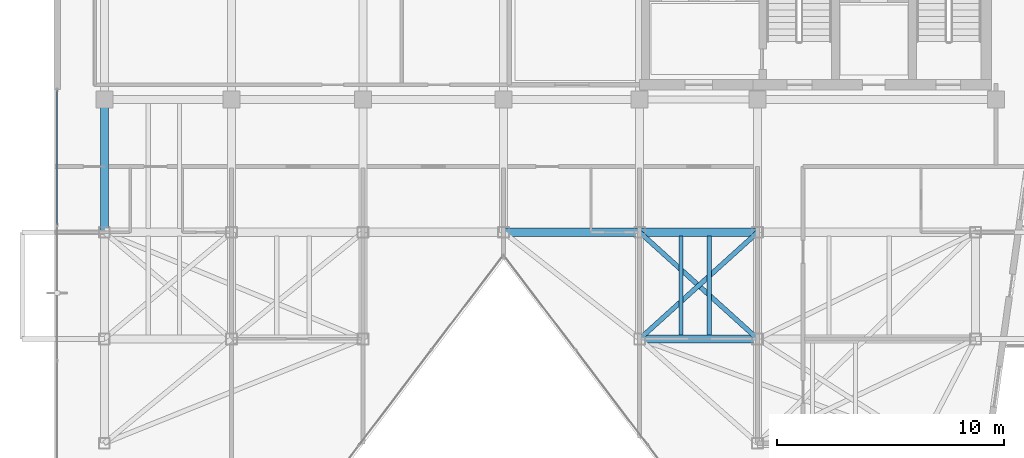
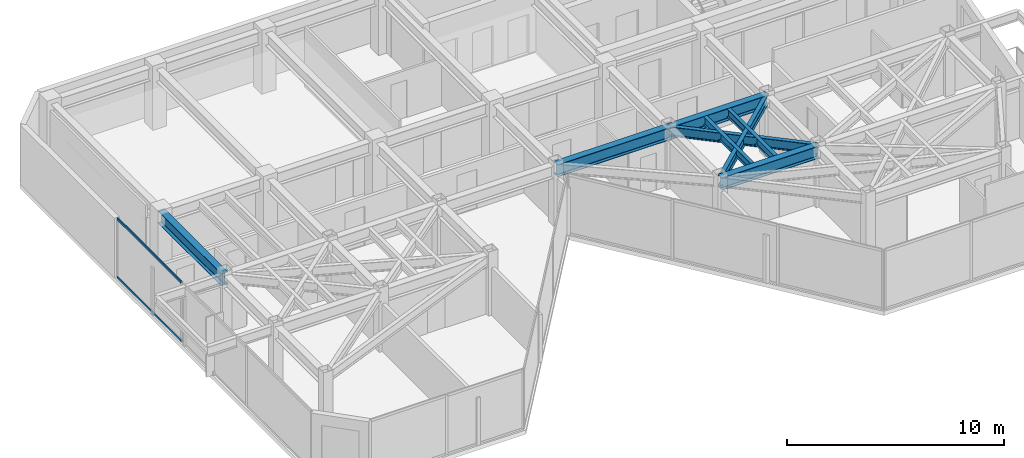
# One storey, part 9 of 20: 8 beams, 2 members, 1 element without a shape of its own.
"""IFC4 building model written with IfcOpenShell, lengths in metres."""

from ifc_helpers import new_model, si_unit, direction, frame, origin, origin_2d, place, context, subcontext, project, spatial, hollow_rectangle, i_section, extrude, material, layer, layer_set, material_profile, profile_set, type_object, element, aggregate, save


model = new_model("IFC4")

# Units and contexts
model_context = context("Model", 3, precision=1e-05, world=origin(), true_north=direction((0.0, 1.0)))
body_context = subcontext(model_context, "Body", "Model", "MODEL_VIEW")
ifc_project = project(units=[si_unit("LENGTHUNIT", "METRE"), si_unit("AREAUNIT", "SQUARE_METRE"), si_unit("VOLUMEUNIT", "CUBIC_METRE"), si_unit("PLANEANGLEUNIT", "RADIAN"), si_unit("MASSUNIT", "GRAM", prefix="KILO")], contexts=[model_context])

# Site, building, storey
site_placement = place(None, origin())
site = spatial("IfcSite", under=ifc_project, at=site_placement, CompositionType="ELEMENT")
building_placement = place(site_placement, origin())
building = spatial("IfcBuilding", under=site, at=building_placement, Name="Kravanh Interchange Tower", CompositionType="ELEMENT")
storey_placement = place(building_placement, frame((0.0, 0.0, 252.60009765625)))
storey = spatial("IfcBuildingStorey", under=building, at=storey_placement, Name="L61", CompositionType="ELEMENT", Elevation=252.60009765625)

# Curtain wall, members
ifc_material_1 = material(Name="Anodised Bronze Aluminium", Category="aluminium")
ifc_layer = layer(ifc_material_1, 0.179931640625)
ifc_layer_set = layer_set([ifc_layer], Name="Unitised Curtain Wall System CW-HTL Luxury Hotel")
curtain_wall_type = type_object("IfcCurtainWallType", Name="Unitised Curtain Wall System CW-HTL Luxury Hotel", PredefinedType="NOTDEFINED", material=ifc_layer_set)
curtain_wall_placement = place(storey_placement, origin())
curtain_wall = element("IfcCurtainWall", 1, at=curtain_wall_placement, inside=storey, type_object=curtain_wall_type, Name="L61 Unitised Curtain Wall CW-L61-01", PredefinedType="NOTDEFINED")
ifc_material_2 = material(Name="Anodised Bronze Aluminium", Category="aluminium")
ifc_material_profile_1 = material_profile(ifc_material_2, hollow_rectangle(XDim=0.06005859375, YDim=0.139892578125, WallThickness=0.00390625, at=origin_2d()), Name="ALU60X140X4")
ifc_profile_set_1 = profile_set([ifc_material_profile_1], Name="Anodised Bronze Aluminium")
member_type = type_object("IfcMemberType", Name="Curtain Wall Transom ALU60X140X4 Bronze", PredefinedType="USERDEFINED", material=ifc_profile_set_1)
member_1_placement = place(storey_placement, frame((25.1201171875, 31.8466796875, 0.02978515625), z_axis=(0.0, 1.0, 0.0), x_axis=(-1.0, 0.0, 0.0)))
member_1 = element("IfcMember", 2, at=member_1_placement, type_object=member_type, Name="CW-HTL transom 3.1", ObjectType="TRANSOM", PredefinedType="USERDEFINED", context=body_context, shape_type="SweptSolid", body=[
    extrude(hollow_rectangle(XDim=0.06005859375, YDim=0.139892578125, WallThickness=0.00390625, at=origin_2d()), origin(), (0.0, 0.0, 1.0), 5.893310546875),
])
member_2_placement = place(storey_placement, frame((25.1201171875, 31.8466796875, 3.329833984375), z_axis=(0.0, 1.0, 0.0), x_axis=(-1.0, 0.0, 0.0)))
member_2 = element("IfcMember", 3, at=member_2_placement, type_object=member_type, Name="CW-HTL transom 3.2", ObjectType="TRANSOM", PredefinedType="USERDEFINED", context=body_context, shape_type="SweptSolid", body=[
    extrude(hollow_rectangle(XDim=0.06005859375, YDim=0.139892578125, WallThickness=0.00390625, at=origin_2d()), origin(), (0.0, 0.0, 1.0), 5.893310546875),
])
aggregate(curtain_wall, [member_1, member_2])

# Beams
ifc_material_3 = material(Name="Structural Steel S355", Category="steel")
ifc_material_profile_2 = material_profile(ifc_material_3, i_section(OverallWidth=0.35498046875, OverallDepth=0.696044921875, WebThickness=0.015380859375, FlangeThickness=0.02490234375, FilletRadius=0.02392578125, at=origin_2d()), Name="W27X146")
ifc_profile_set_2 = profile_set([ifc_material_profile_2], Name="Structural Steel S355")
beam_type_1 = type_object("IfcBeamType", Name="Floor Beam W27X146 Structural Steel S355", PredefinedType="BEAM", material=ifc_profile_set_2)
beam_1_placement = place(storey_placement, frame((44.800048828125, 31.5, 3.011962890625), z_axis=(1.0, 0.0, 0.0), x_axis=(0.0, 1.0, 0.0)))
element("IfcBeam", 4, at=beam_1_placement, inside=storey, type_object=beam_type_1, Name="L61 Primary Floor Girder 2", PredefinedType="BEAM", context=body_context, shape_type="SweptSolid", body=[
    extrude(i_section(OverallWidth=0.35498046875, OverallDepth=0.696044921875, WebThickness=0.015380859375, FlangeThickness=0.02490234375, FilletRadius=0.02392578125, at=origin_2d()), origin(), (0.0, 0.0, 1.0), 6.0),
])
beam_2_placement = place(storey_placement, frame((50.800048828125, 31.5, 3.011962890625), z_axis=(1.0, 0.0, 0.0), x_axis=(0.0, 1.0, 0.0)))
element("IfcBeam", 5, at=beam_2_placement, inside=storey, type_object=beam_type_1, Name="L61 Primary Floor Girder 6", PredefinedType="BEAM", context=body_context, shape_type="SweptSolid", body=[
    extrude(i_section(OverallWidth=0.35498046875, OverallDepth=0.696044921875, WebThickness=0.015380859375, FlangeThickness=0.02490234375, FilletRadius=0.02392578125, at=origin_2d()), origin(), (0.0, 0.0, 1.0), 5.199951171875),
])
beam_3_placement = place(storey_placement, frame((27.199951171875, 31.5, 3.011962890625), z_axis=(0.0, 1.0, 0.0), x_axis=(-1.0, 0.0, 0.0)))
element("IfcBeam", 6, at=beam_3_placement, inside=storey, type_object=beam_type_1, Name="L61 Primary Floor Girder 26", PredefinedType="BEAM", context=body_context, shape_type="SweptSolid", body=[
    extrude(i_section(OverallWidth=0.35498046875, OverallDepth=0.696044921875, WebThickness=0.015380859375, FlangeThickness=0.02490234375, FilletRadius=0.02392578125, at=origin_2d()), origin(), (0.0, 0.0, 1.0), 5.85009765625),
])
beam_4_placement = place(storey_placement, frame((50.800048828125, 26.800048828125, 3.011962890625), z_axis=(1.0, 0.0, 0.0), x_axis=(0.0, 1.0, 0.0)))
element("IfcBeam", 7, at=beam_4_placement, inside=storey, type_object=beam_type_1, Name="L61 Primary Floor Girder 31", PredefinedType="BEAM", context=body_context, shape_type="SweptSolid", body=[
    extrude(i_section(OverallWidth=0.35498046875, OverallDepth=0.696044921875, WebThickness=0.015380859375, FlangeThickness=0.02490234375, FilletRadius=0.02392578125, at=origin_2d()), origin(), (0.0, 0.0, 1.0), 5.199951171875),
])
ifc_material_4 = material(Name="Structural Steel S355", Category="steel")
ifc_material_profile_3 = material_profile(ifc_material_4, i_section(OverallWidth=0.18994140625, OverallDepth=0.45703125, WebThickness=0.009033203125, FlangeThickness=0.014404296875, FilletRadius=0.01806640625, at=origin_2d()), Name="W18X50")
ifc_profile_set_3 = profile_set([ifc_material_profile_3], Name="Structural Steel S355")
beam_type_2 = type_object("IfcBeamType", Name="Floor Joist W18X50 Structural Steel S355", PredefinedType="JOIST", material=ifc_profile_set_3)
for number, where, z_axis, x_axis, name in (
    (8, (52.6201171875, 26.972412109375, 3.13134765625), (0.0, 1.0, 0.0), (-1.0, 0.0, 0.0), "L61 Secondary Floor Joist 7"),
    (9, (53.867919921875, 26.972412109375, 3.13134765625), (0.0, 1.0, 0.0), (-1.0, 0.0, 0.0), "L61 Secondary Floor Joist 8"),
):
    element("IfcBeam", number, at=place(storey_placement, frame(where, z_axis=z_axis, x_axis=x_axis)), inside=storey, type_object=beam_type_2, Name=name, PredefinedType="JOIST", context=body_context, shape_type="SweptSolid", body=[
        extrude(i_section(OverallWidth=0.18994140625, OverallDepth=0.45703125, WebThickness=0.009033203125, FlangeThickness=0.014404296875, FilletRadius=0.01806640625, at=origin_2d()), origin(), (0.0, 0.0, 1.0), 4.35498046875),
    ])
ifc_material_5 = material(Name="Structural Steel S355", Category="steel")
ifc_material_profile_4 = material_profile(ifc_material_5, i_section(OverallWidth=0.2099609375, OverallDepth=0.537109375, WebThickness=0.010986328125, FlangeThickness=0.017333984375, FilletRadius=0.02001953125, at=origin_2d()), Name="W21X68")
ifc_profile_set_4 = profile_set([ifc_material_profile_4], Name="Structural Steel S355")
beam_type_3 = type_object("IfcBeamType", Name="Floor Spandrel W21X68 Structural Steel S355", PredefinedType="SPANDREL", material=ifc_profile_set_4)
for number, where, z_axis, x_axis, name in (
    (10, (50.800048828125, 31.5, 3.09130859375), (0.741874009795, -0.670539300557, 0.0), (0.670539300557, 0.741874009795, 0.0), "L61 Perimeter Spandrel 8"),
    (11, (56.0, 31.5, 3.09130859375), (-0.741874009795, -0.670539300557, 0.0), (0.670539300557, -0.741874009795, 0.0), "L61 Perimeter Spandrel 11"),
):
    element("IfcBeam", number, at=place(storey_placement, frame(where, z_axis=z_axis, x_axis=x_axis)), inside=storey, type_object=beam_type_3, Name=name, PredefinedType="SPANDREL", context=body_context, shape_type="SweptSolid", body=[
        extrude(i_section(OverallWidth=0.2099609375, OverallDepth=0.537109375, WebThickness=0.010986328125, FlangeThickness=0.017333984375, FilletRadius=0.02001953125, at=origin_2d()), origin(), (0.0, 0.0, 1.0), 7.00927734375),
    ])

save(model, "model.ifc")
